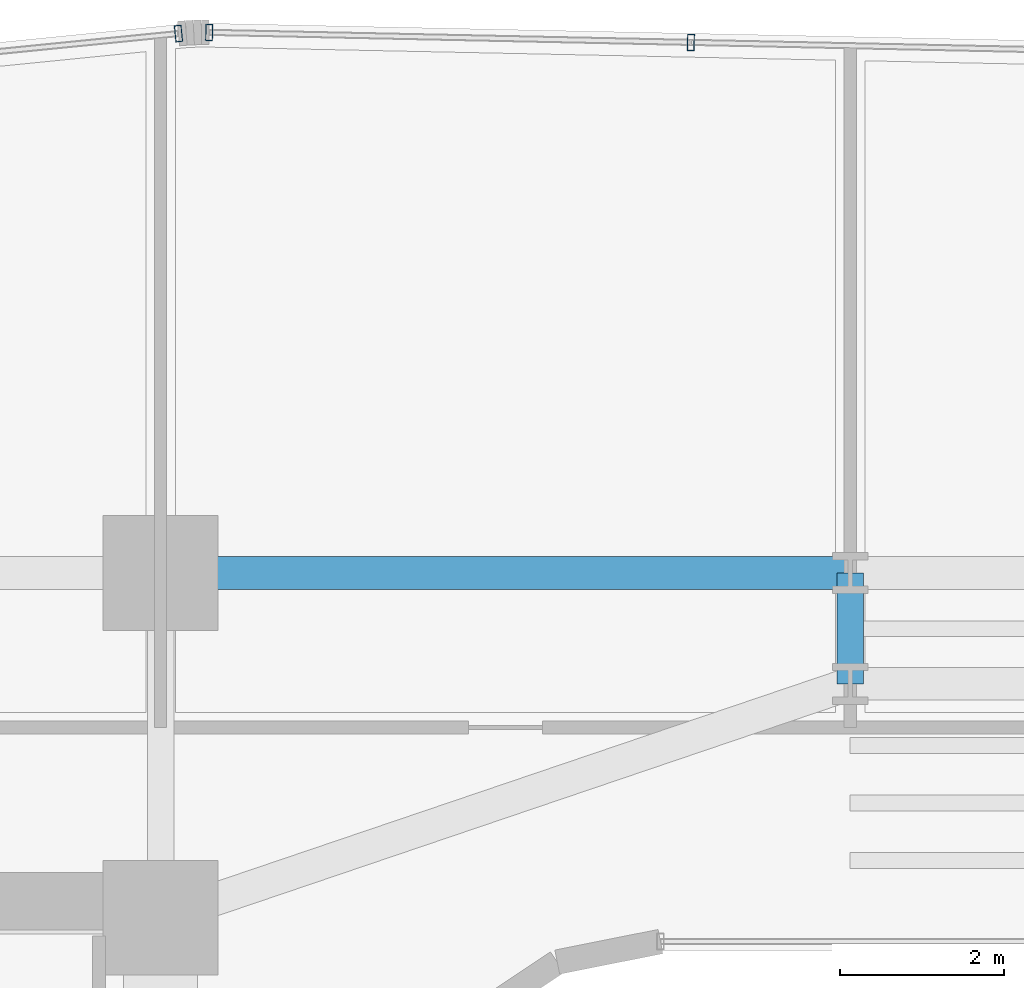
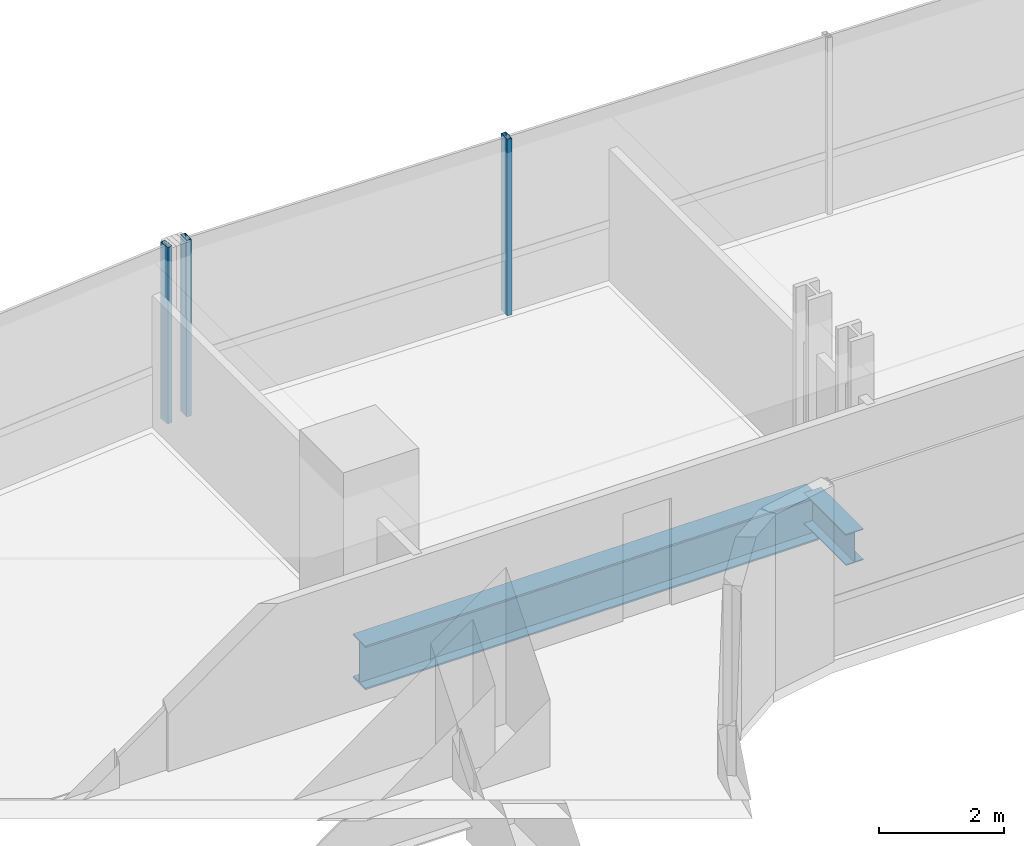
# One storey, part 20 of 39: 3 members, 2 beams, 2 elements without a shape of their own.
"""IFC4 building model written with IfcOpenShell, lengths in metres."""

from ifc_helpers import new_model, si_unit, direction, frame, origin, origin_2d, place, context, subcontext, project, spatial, hollow_rectangle, i_section, extrude, source, transform, mapped, material, material_profile, profile_set, type_object, element, aggregate, save


model = new_model("IFC4")

# Units and contexts
model_context = context("Model", 3, precision=1e-05, world=origin(), true_north=direction((0.0, 1.0)))
body_context = subcontext(model_context, "Body", "Model", "MODEL_VIEW")
ifc_project = project(units=[si_unit("LENGTHUNIT", "METRE"), si_unit("AREAUNIT", "SQUARE_METRE"), si_unit("VOLUMEUNIT", "CUBIC_METRE"), si_unit("PLANEANGLEUNIT", "RADIAN"), si_unit("MASSUNIT", "GRAM", prefix="KILO")], contexts=[model_context])

# Site, building, storey
site_placement = place(None, origin())
site = spatial("IfcSite", under=ifc_project, at=site_placement, CompositionType="ELEMENT")
building_placement = place(site_placement, origin())
building = spatial("IfcBuilding", under=site, at=building_placement, Name="Valdorenza Pilgrim Sanctuary Tower", CompositionType="ELEMENT")
storey_placement = place(building_placement, frame((0.0, 0.0, 33.39990234375)))
storey = spatial("IfcBuildingStorey", under=building, at=storey_placement, Name="L07", CompositionType="ELEMENT", Elevation=33.39990234375)

# Beams
ifc_material_1 = material(Name="Steel ASTM A992 Grade 50", Category="steel")
ifc_material_profile_1 = material_profile(ifc_material_1, i_section(OverallWidth=0.39990234375, OverallDepth=0.862060546875, WebThickness=0.019775390625, FlangeThickness=0.032470703125, at=origin_2d()), Name="W33X221")
ifc_profile_set_1 = profile_set([ifc_material_profile_1], Name="Steel ASTM A992 Grade 50")
beam_type_1 = type_object("IfcBeamType", Name="STR-BM-GRD-W33", PredefinedType="BEAM", material=ifc_profile_set_1)
shared_shape_1 = source(origin(), body_context, "Body", "SweptSolid", [
    extrude(i_section(OverallWidth=0.39990234375, OverallDepth=0.862060546875, WebThickness=0.019775390625, FlangeThickness=0.032470703125, at=origin_2d()), origin(), (0.0, 0.0, 1.0), 8.39990234375),
])
beam_1_placement = place(storey_placement, frame((-12.39990234375, 14.800048828125, -0.6708984375), z_axis=(1.0, 0.0, 0.0), x_axis=(0.0, 1.0, 0.0)))
element("IfcBeam", 1, at=beam_1_placement, inside=storey, type_object=beam_type_1, Name="L07 Floor Girder KNK-G4", PredefinedType="BEAM", context=body_context, shape_type="MappedRepresentation", body=[
    mapped(shared_shape_1, transform((0.0, 0.0, 0.0), x_axis=(1.0, 0.0, 0.0), y_axis=(0.0, 1.0, 0.0), z_axis=(0.0, 0.0, 1.0), scale=1.0)),
])
ifc_material_profile_2 = material_profile(ifc_material_1, i_section(OverallWidth=0.323974609375, OverallDepth=0.611083984375, WebThickness=0.0126953125, FlangeThickness=0.01904296875, at=origin_2d()), Name="W24X104")
ifc_profile_set_2 = profile_set([ifc_material_profile_2], Name="Steel ASTM A992 Grade 50")
beam_type_2 = type_object("IfcBeamType", Name="STR-BM-GRD-W24B", PredefinedType="BEAM", material=ifc_profile_set_2)
shared_shape_2 = source(origin(), body_context, "Body", "SweptSolid", [
    extrude(i_section(OverallWidth=0.323974609375, OverallDepth=0.611083984375, WebThickness=0.0126953125, FlangeThickness=0.01904296875, at=origin_2d()), origin(), (0.0, 0.0, 1.0), 1.35009765625),
])
beam_2_placement = place(storey_placement, frame((-4.0, 13.449951171875, -0.54541015625), z_axis=(0.0, 1.0, 0.0), x_axis=(-1.0, 0.0, 0.0)))
element("IfcBeam", 2, at=beam_2_placement, inside=storey, type_object=beam_type_2, Name="L07 Floor Girder KNK-TIE-W", PredefinedType="BEAM", context=body_context, shape_type="MappedRepresentation", body=[
    mapped(shared_shape_2, transform((0.0, 0.0, 0.0), x_axis=(1.0, 0.0, 0.0), y_axis=(0.0, 1.0, 0.0), z_axis=(0.0, 0.0, 1.0), scale=1.0)),
])

# Curtain wall, member
ifc_material_2 = material(Name="Curtain-wall IGU glazing", Category="glass")
curtain_wall_type = type_object("IfcCurtainWallType", Name="CW-SYS-02", PredefinedType="NOTDEFINED", material=ifc_material_2)
curtain_wall_1_placement = place(storey_placement, origin())
curtain_wall_1 = element("IfcCurtainWall", 3, at=curtain_wall_1_placement, inside=storey, type_object=curtain_wall_type, Name="L07 Curtain Wall CW-L07-1-6", PredefinedType="NOTDEFINED")
ifc_material_3 = material(Name="Anodised aluminium AW-6060", Category="aluminium")
ifc_material_profile_3 = material_profile(ifc_material_3, hollow_rectangle(XDim=0.0849609375, YDim=0.199951171875, WallThickness=0.0048828125, at=origin_2d()), Name="ALU-M 200x85x5")
ifc_profile_set_3 = profile_set([ifc_material_profile_3], Name="Anodised aluminium AW-6060")
member_type = type_object("IfcMemberType", Name="CW-MUL-02", PredefinedType="MULLION", material=ifc_profile_set_3)
shared_shape_3 = source(origin(), body_context, "Body", "SweptSolid", [
    extrude(hollow_rectangle(XDim=0.0849609375, YDim=0.199951171875, WallThickness=0.0048828125, at=origin_2d()), origin(), (0.0, 0.0, 1.0), 3.460205078125),
])
member_1_placement = place(storey_placement, frame((-12.181884765625, 21.371337890625, 0.0), z_axis=(0.0, 0.0, 1.0), x_axis=(0.995038220239, 0.099493418189, 0.0)))
member_1 = element("IfcMember", 4, at=member_1_placement, type_object=member_type, Name="CW-L07-1-6 Mullion 4", PredefinedType="MULLION", context=body_context, shape_type="MappedRepresentation", body=[
    mapped(shared_shape_3, transform((0.0, 0.0, 0.0), x_axis=(1.0, 0.0, 0.0), y_axis=(0.0, 1.0, 0.0), z_axis=(0.0, 0.0, 1.0), scale=1.0)),
])
aggregate(curtain_wall_1, [member_1])

# Curtain wall, members
curtain_wall_2_placement = place(storey_placement, origin())
curtain_wall_2 = element("IfcCurtainWall", 5, at=curtain_wall_2_placement, inside=storey, type_object=curtain_wall_type, Name="L07 Curtain Wall CW-L07-1-11", PredefinedType="NOTDEFINED")
member_2_placement = place(storey_placement, frame((-11.808349609375, 21.385986328125, 0.0), z_axis=(0.0, 0.0, 1.0), x_axis=(0.999783234613, -0.020820273474, 0.0)))
member_2 = element("IfcMember", 6, at=member_2_placement, type_object=member_type, Name="CW-L07-1-11 Mullion 1", PredefinedType="MULLION", context=body_context, shape_type="MappedRepresentation", body=[
    mapped(shared_shape_3, transform((0.0, 0.0, 0.0), x_axis=(1.0, 0.0, 0.0), y_axis=(0.0, 1.0, 0.0), z_axis=(0.0, 0.0, 1.0), scale=1.0)),
])
member_3_placement = place(storey_placement, frame((-5.93994140625, 21.263671875, 0.0), z_axis=(0.0, 0.0, 1.0), x_axis=(0.999783234613, -0.020820273474, 0.0)))
member_3 = element("IfcMember", 7, at=member_3_placement, type_object=member_type, Name="CW-L07-1-11 Mullion 2", PredefinedType="MULLION", context=body_context, shape_type="MappedRepresentation", body=[
    mapped(shared_shape_3, transform((0.0, 0.0, 0.0), x_axis=(1.0, 0.0, 0.0), y_axis=(0.0, 1.0, 0.0), z_axis=(0.0, 0.0, 1.0), scale=1.0)),
])
aggregate(curtain_wall_2, [member_2, member_3])

save(model, "model.ifc")
